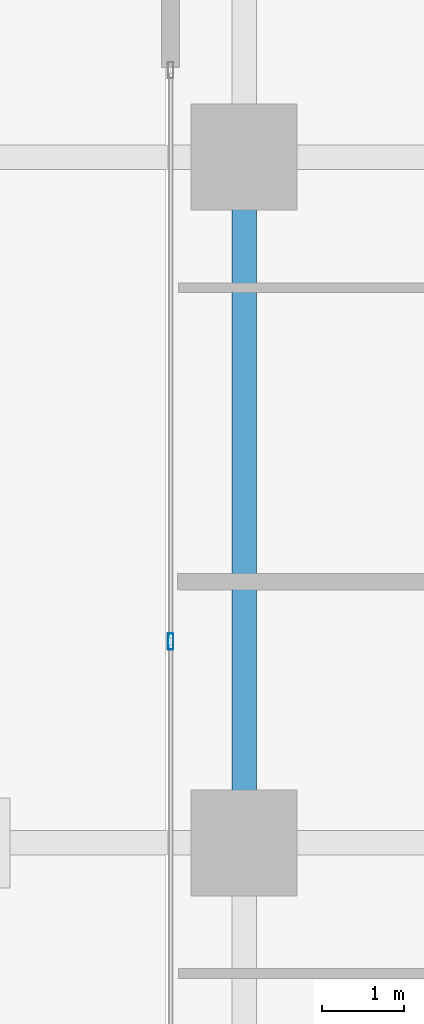
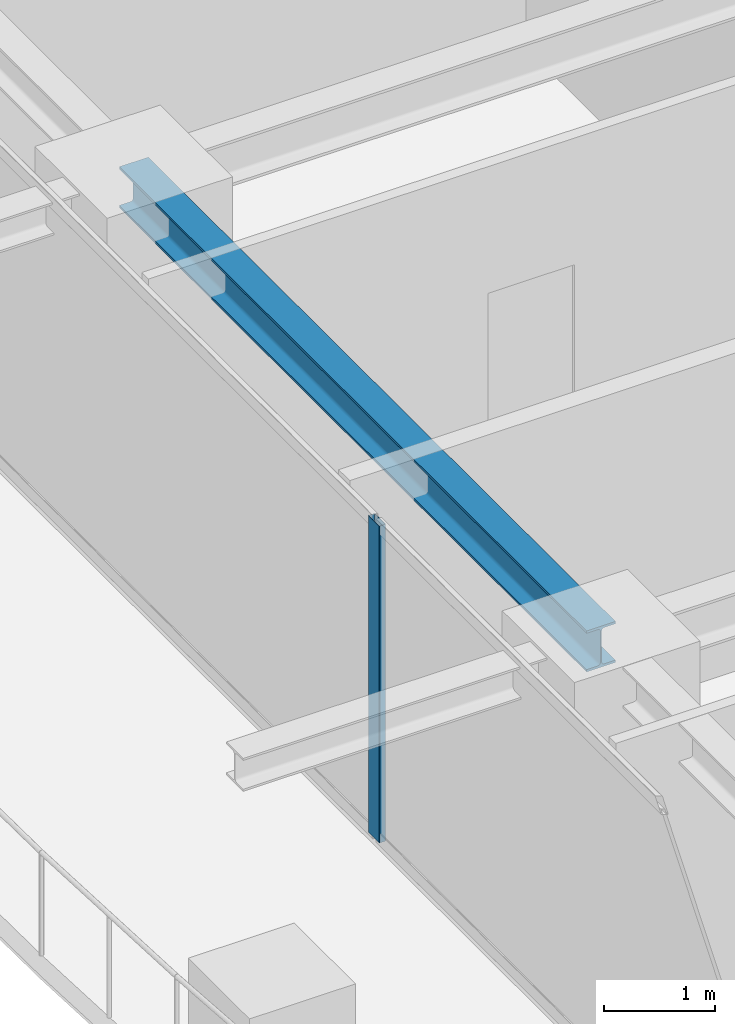
# One storey, part 8 of 38: 1 beam, 1 member, 1 element without a shape of its own.
"""IFC4 building model written with IfcOpenShell, lengths in metres."""

import ifcopenshell
import ifcopenshell.guid

model = None  # the IFC model being written
_history = None  # IfcOwnerHistory: only IFC2X3 demands one
_inside = {}  # id of a spatial element -> (the spatial element, [elements in it])
_under = {}  # id of a project, library or spatial element -> (it, [spatial elements below it])
_declared = {}  # id of a project -> (the project, [libraries it declares])
_typed = {}  # id of a type object -> (the type object, [elements of that type])
_made_of = {}  # id of a material, layer set ... -> (it, [elements and type objects made of it])


def new_model(schema):
    """Start an empty IFC model of exactly this schema.

    Asked for "IFC4X3", IfcOpenShell would pick the latest addendum, in which some entities
    have other attributes; the version numbers below select the first issue.
    IFC2X3 requires an IfcOwnerHistory on every rooted entity: one is made here for all.
    """
    global model, _history
    if schema == "IFC4X3":
        model = ifcopenshell.file(schema_version=(4, 3, 0, 0))
    else:
        model = ifcopenshell.file(schema=schema)
    _inside.clear()
    _under.clear()
    _declared.clear()
    _typed.clear()
    _made_of.clear()
    _history = None
    if model.schema == "IFC2X3":
        org = make("IfcOrganization", Name="unknown")
        user = make(
            "IfcPersonAndOrganization",
            ThePerson=make("IfcPerson", FamilyName="unknown"),
            TheOrganization=org,
        )
        app = make(
            "IfcApplication",
            ApplicationDeveloper=org,
            Version="unknown",
            ApplicationFullName="unknown",
            ApplicationIdentifier="unknown",
        )
        _history = make(
            "IfcOwnerHistory",
            OwningUser=user,
            OwningApplication=app,
            ChangeAction="ADDED",
            CreationDate=0,
        )
    return model


def make(cls, **values):
    """One entity of the class cls with the attributes given. An attribute that is None is left unset."""
    return model.create_entity(
        cls, **{name: value for name, value in values.items() if value is not None}
    )


def rooted(cls, **values):
    """An entity with a GlobalId (a new one), such as an element, a storey or a relation."""
    return make(cls, GlobalId=ifcopenshell.guid.new(), OwnerHistory=_history, **values)


def si_unit(unit_type, name, prefix=None):
    """IfcSIUnit, for example si_unit("LENGTHUNIT", "METRE", prefix="MILLI")."""
    return make("IfcSIUnit", UnitType=unit_type, Prefix=prefix, Name=name)


def assignment(units):
    """IfcUnitAssignment: the units of a project."""
    return None if units is None else make("IfcUnitAssignment", Units=units)


def point(xyz):
    """IfcCartesianPoint."""
    return None if xyz is None else make("IfcCartesianPoint", Coordinates=xyz)


def direction(xyz):
    """IfcDirection."""
    return None if xyz is None else make("IfcDirection", DirectionRatios=xyz)


def frame(location, z_axis=None, x_axis=None):
    """IfcAxis2Placement3D, a coordinate frame: its origin and axes. An axis left out is left unset."""
    return make(
        "IfcAxis2Placement3D",
        Location=point(location),
        Axis=direction(z_axis),
        RefDirection=direction(x_axis),
    )


def frame_2d(location, x_axis=None):
    """IfcAxis2Placement2D, a coordinate frame in the plane: its origin and x axis."""
    return make(
        "IfcAxis2Placement2D", Location=point(location), RefDirection=direction(x_axis)
    )


def origin():
    """The frame at (0, 0, 0) with its axes left unset."""
    return frame((0.0, 0.0, 0.0))


def origin_2d():
    """The frame at (0, 0) in the plane with its x axis left unset."""
    return frame_2d((0.0, 0.0))


def place(relative_to, where):
    """IfcLocalPlacement: puts the frame where relative to a parent placement (None: the world)."""
    return make(
        "IfcLocalPlacement", PlacementRelTo=relative_to, RelativePlacement=where
    )


def context(
    kind, dimensions, precision=None, world=None, true_north=None, identifier=None
):
    """IfcGeometricRepresentationContext, for example the 3D "Model" context."""
    return make(
        "IfcGeometricRepresentationContext",
        ContextIdentifier=identifier,
        ContextType=kind,
        CoordinateSpaceDimension=dimensions,
        Precision=precision,
        WorldCoordinateSystem=world,
        TrueNorth=true_north,
    )


def subcontext(parent, identifier, kind, view, scale=None):
    """IfcGeometricRepresentationSubContext, for example "Body" below "Model"."""
    return make(
        "IfcGeometricRepresentationSubContext",
        ContextIdentifier=identifier,
        ContextType=kind,
        ParentContext=parent,
        TargetScale=scale,
        TargetView=view,
    )


def project(units=None, contexts=None):
    """IfcProject with its units and contexts."""
    return rooted(
        "IfcProject",
        Name="project",
        RepresentationContexts=contexts,
        UnitsInContext=assignment(units),
    )


def spatial(cls, under=None, at=None, **own):
    """A site, building, storey or space (cls), placed at a placement, below another one or the project."""
    s = rooted(cls, ObjectPlacement=at, **own)
    if under is not None:
        _under.setdefault(under.id(), (under, []))[1].append(s)
    return s


def profile(cls, at=None, kind="AREA", **sizes):
    """A parametric profile (cls). Its sizes go by their IFC names, for example OverallWidth=200.0."""
    return make(cls, ProfileType=kind, Position=at, **sizes)


def hollow_rectangle(**sizes):
    """IfcRectangleHollowProfileDef."""
    return profile("IfcRectangleHollowProfileDef", **sizes)


def i_section(**sizes):
    """IfcIShapeProfileDef."""
    return profile("IfcIShapeProfileDef", **sizes)


def extrude(swept, where, along, depth):
    """IfcExtrudedAreaSolid: the profile swept, set in the frame where, extruded along a direction by depth."""
    return make(
        "IfcExtrudedAreaSolid",
        SweptArea=swept,
        Position=where,
        ExtrudedDirection=direction(along),
        Depth=depth,
    )


def shape(context_of_items, identifier, shape_type, items):
    """IfcShapeRepresentation: the items that make up one representation, for example the "Body"."""
    return make(
        "IfcShapeRepresentation",
        ContextOfItems=context_of_items,
        RepresentationIdentifier=identifier,
        RepresentationType=shape_type,
        Items=items,
    )


def source(mapping_origin, context_of_items, identifier, shape_type, items):
    """IfcRepresentationMap: a shape defined once, which mapped items show again and again."""
    return make(
        "IfcRepresentationMap",
        MappingOrigin=mapping_origin,
        MappedRepresentation=shape(context_of_items, identifier, shape_type, items),
    )


def transform(
    local_origin,
    x_axis=None,
    y_axis=None,
    z_axis=None,
    scale=None,
    scale2=None,
    scale3=None,
    uniform=True,
):
    """IfcCartesianTransformationOperator3D, or its non-uniform kind. x_axis, y_axis, z_axis: its Axis1, 2, 3."""
    if uniform:
        return make(
            "IfcCartesianTransformationOperator3D",
            Axis1=direction(x_axis),
            Axis2=direction(y_axis),
            LocalOrigin=point(local_origin),
            Scale=scale,
            Axis3=direction(z_axis),
        )
    return make(
        "IfcCartesianTransformationOperator3DnonUniform",
        Axis1=direction(x_axis),
        Axis2=direction(y_axis),
        LocalOrigin=point(local_origin),
        Scale=scale,
        Axis3=direction(z_axis),
        Scale2=scale2,
        Scale3=scale3,
    )


def mapped(mapping_source, mapping_target):
    """IfcMappedItem: shows the shape of a source again, moved by a transform."""
    return make(
        "IfcMappedItem", MappingSource=mapping_source, MappingTarget=mapping_target
    )


def material(Name=None, Category=None):
    """IfcMaterial."""
    return make("IfcMaterial", Name=Name, Category=Category)


def layer(
    of_material, thickness, ventilated=None, Name=None, Category=None, Priority=None
):
    """IfcMaterialLayer: one layer of a wall or slab, of a material (None: an air gap)."""
    return make(
        "IfcMaterialLayer",
        Material=of_material,
        LayerThickness=thickness,
        IsVentilated=ventilated,
        Name=Name,
        Category=Category,
        Priority=Priority,
    )


def layer_set(layers, Name=None):
    """IfcMaterialLayerSet."""
    return make("IfcMaterialLayerSet", MaterialLayers=layers, LayerSetName=Name)


def material_profile(
    of_material, cross_section, Name=None, Category=None, Priority=None
):
    """IfcMaterialProfile: a cross section and its material."""
    return make(
        "IfcMaterialProfile",
        Name=Name,
        Material=of_material,
        Profile=cross_section,
        Priority=Priority,
        Category=Category,
    )


def profile_set(profiles, Name=None, composite=None):
    """IfcMaterialProfileSet."""
    return make(
        "IfcMaterialProfileSet",
        Name=Name,
        MaterialProfiles=profiles,
        CompositeProfile=composite,
    )


def made_of(thing, what):
    """Note that an element or type object is made of a material, layer set ...; save() writes the relation."""
    if what is not None:
        _made_of.setdefault(what.id(), (what, []))[1].append(thing)
    return thing


def type_object(cls, material=None, **own):
    """A type object (cls), such as IfcWallType, which elements share."""
    return made_of(rooted(cls, **own), material)


def element(
    cls,
    number,
    at=None,
    inside=None,
    cuts=None,
    type_object=None,
    material=None,
    context=None,
    identifier="Body",
    shape_type=None,
    held_by="IfcProductDefinitionShape",
    body=None,
    shapes=None,
    **own,
):
    """One element of the class cls, such as IfcWall. Its Tag is "e" and its number.

    at: its placement. inside: the storey or other place that contains it. cuts: it is an
    opening in that element (IfcRelVoidsElement). A single representation is given by context,
    identifier, shape_type and body (its items); several are given by shapes. held_by: the class
    of the entity that holds the representations. save() writes the other relations.
    """
    e = rooted(cls, Tag="e%d" % number, ObjectPlacement=at, **own)
    if body is not None:
        shapes = [shape(context, identifier, shape_type, body)]
    if shapes is not None:
        e.Representation = make(held_by, Representations=shapes)
    if inside is not None:
        _inside.setdefault(inside.id(), (inside, []))[1].append(e)
    if cuts is not None:
        rooted(
            "IfcRelVoidsElement", RelatingBuildingElement=cuts, RelatedOpeningElement=e
        )
    if type_object is not None:
        _typed.setdefault(type_object.id(), (type_object, []))[1].append(e)
    return made_of(e, material)


def aggregate(whole, parts):
    """IfcRelAggregates: a whole, such as a stair, and the parts it consists of."""
    return rooted("IfcRelAggregates", RelatingObject=whole, RelatedObjects=parts)


def save(model, path):
    """Write the relations noted so far, then the file.

    IfcRelAggregates (storeys below a building ...), IfcRelContainedInSpatialStructure (elements
    in a storey), IfcRelDefinesByType, IfcRelAssociatesMaterial and IfcRelDeclares: one each for
    every whole, place, type object, material and project.
    """
    for whole, parts in _under.values():
        aggregate(whole, parts)
    for where, things in _inside.values():
        rooted(
            "IfcRelContainedInSpatialStructure",
            RelatedElements=things,
            RelatingStructure=where,
        )
    for kind, things in _typed.values():
        rooted("IfcRelDefinesByType", RelatedObjects=things, RelatingType=kind)
    for what, things in _made_of.values():
        rooted("IfcRelAssociatesMaterial", RelatedObjects=things, RelatingMaterial=what)
    for by, libraries in _declared.values():
        rooted("IfcRelDeclares", RelatingContext=by, RelatedDefinitions=libraries)
    model.write(path)


model = new_model("IFC4")

# Units and contexts
model_context = context("Model", 3, precision=1e-05, world=origin(), true_north=direction((0.0, 1.0)))
body_context = subcontext(model_context, "Body", "Model", "MODEL_VIEW")
ifc_project = project(units=[si_unit("LENGTHUNIT", "METRE"), si_unit("AREAUNIT", "SQUARE_METRE"), si_unit("VOLUMEUNIT", "CUBIC_METRE"), si_unit("PLANEANGLEUNIT", "RADIAN"), si_unit("MASSUNIT", "GRAM", prefix="KILO")], contexts=[model_context])

# Site, building, storey
site_placement = place(None, origin())
site = spatial("IfcSite", under=ifc_project, at=site_placement, CompositionType="ELEMENT")
building_placement = place(site_placement, origin())
building = spatial("IfcBuilding", under=site, at=building_placement, Name="Serunith Strait Residences", CompositionType="ELEMENT")
storey_placement = place(building_placement, frame((0.0, 0.0, 120.14990234375)))
storey = spatial("IfcBuildingStorey", under=building, at=storey_placement, Name="L29", CompositionType="ELEMENT", Elevation=120.14990234375)

# Beam
ifc_material_1 = material(Name="Steel S355J2", Category="steel")
ifc_material_profile_1 = material_profile(ifc_material_1, i_section(OverallWidth=0.300048828125, OverallDepth=0.449951171875, WebThickness=0.013916015625, FlangeThickness=0.02587890625, FilletRadius=0.027099609375, at=origin_2d()), Name="HEB 450")
ifc_profile_set_1 = profile_set([ifc_material_profile_1], Name="Steel S355J2")
beam_type = type_object("IfcBeamType", Name="BM-HEB450", PredefinedType="BEAM", material=ifc_profile_set_1)
shared_shape_1 = source(origin(), body_context, "Body", "SweptSolid", [
    extrude(i_section(OverallWidth=0.300048828125, OverallDepth=0.449951171875, WebThickness=0.013916015625, FlangeThickness=0.02587890625, FilletRadius=0.027099609375, at=origin_2d()), origin(), (0.0, 0.0, 1.0), 8.39990234375),
])
beam_placement = place(storey_placement, frame((8.699951171875, 29.39990234375, 3.26220703125), z_axis=(0.0, -1.0, 0.0), x_axis=(1.0, 0.0, 0.0)))
element("IfcBeam", 1, at=beam_placement, inside=storey, type_object=beam_type, Name="L29 Perimeter Ring Beam 14", PredefinedType="BEAM", context=body_context, shape_type="MappedRepresentation", body=[
    mapped(shared_shape_1, transform((0.0, 0.0, 0.0), scale=1.0)),
])

# Curtain wall, member
ifc_material_2 = material(Name="Pale-Champagne Anodised Aluminium", Category="aluminium")
ifc_layer = layer(ifc_material_2, 0.199951171875, Name="Pale-Champagne Anodised Aluminium")
ifc_layer_set = layer_set([ifc_layer], Name="Pale-Champagne Anodised Aluminium")
curtain_wall_type = type_object("IfcCurtainWallType", Name="CW-SYS2", PredefinedType="NOTDEFINED", material=ifc_layer_set)
curtain_wall_placement = place(storey_placement, origin())
curtain_wall = element("IfcCurtainWall", 2, at=curtain_wall_placement, inside=storey, type_object=curtain_wall_type, Name="L29 W Unitised Fritted Curtain Wall", PredefinedType="NOTDEFINED")
ifc_material_profile_2 = material_profile(ifc_material_2, hollow_rectangle(XDim=0.070068359375, YDim=0.199951171875, WallThickness=0.00390625, InnerFilletRadius=0.006103515625, OuterFilletRadius=0.010009765625, at=origin_2d()), Name="ALU 200x70x4")
ifc_profile_set_2 = profile_set([ifc_material_profile_2], Name="Pale-Champagne Anodised Aluminium")
member_type = type_object("IfcMemberType", Name="CW-SYS2-MULL", PredefinedType="MULLION", material=ifc_profile_set_2)
shared_shape_2 = source(origin(), body_context, "Body", "SweptSolid", [
    extrude(hollow_rectangle(XDim=0.070068359375, YDim=0.199951171875, WallThickness=0.00390625, InnerFilletRadius=0.006103515625, OuterFilletRadius=0.010009765625, at=origin_2d()), origin(), (0.0, 0.0, 1.0), 3.47509765625),
])
member_placement = place(storey_placement, frame((7.800048828125, 23.466552734375, 0.0), z_axis=(0.0, 0.0, 1.0), x_axis=(1.0, 0.0, 0.0)))
member = element("IfcMember", 3, at=member_placement, type_object=member_type, Name="CW-2 mullion 2", PredefinedType="MULLION", context=body_context, shape_type="MappedRepresentation", body=[
    mapped(shared_shape_2, transform((0.0, 0.0, 0.0), scale=1.0)),
])
aggregate(curtain_wall, [member])

save(model, "model.ifc")
